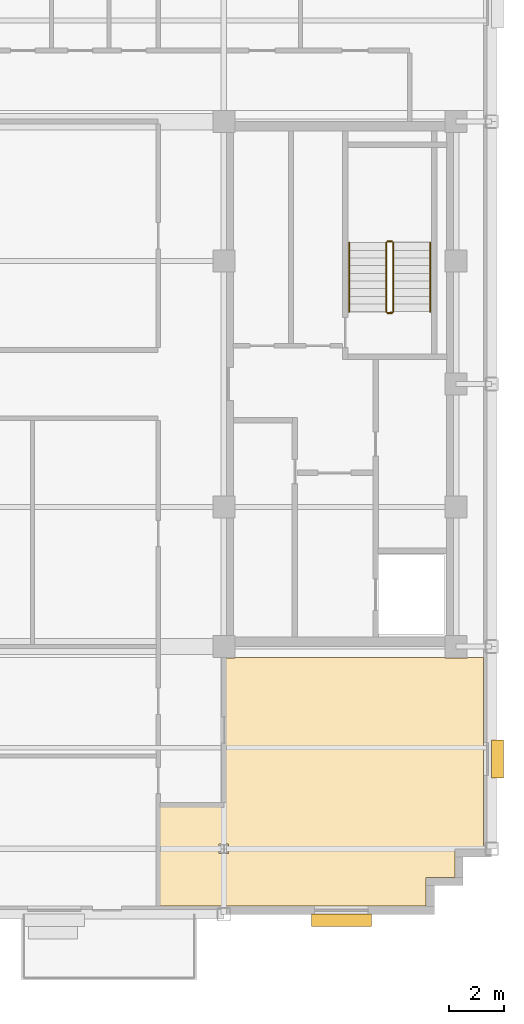
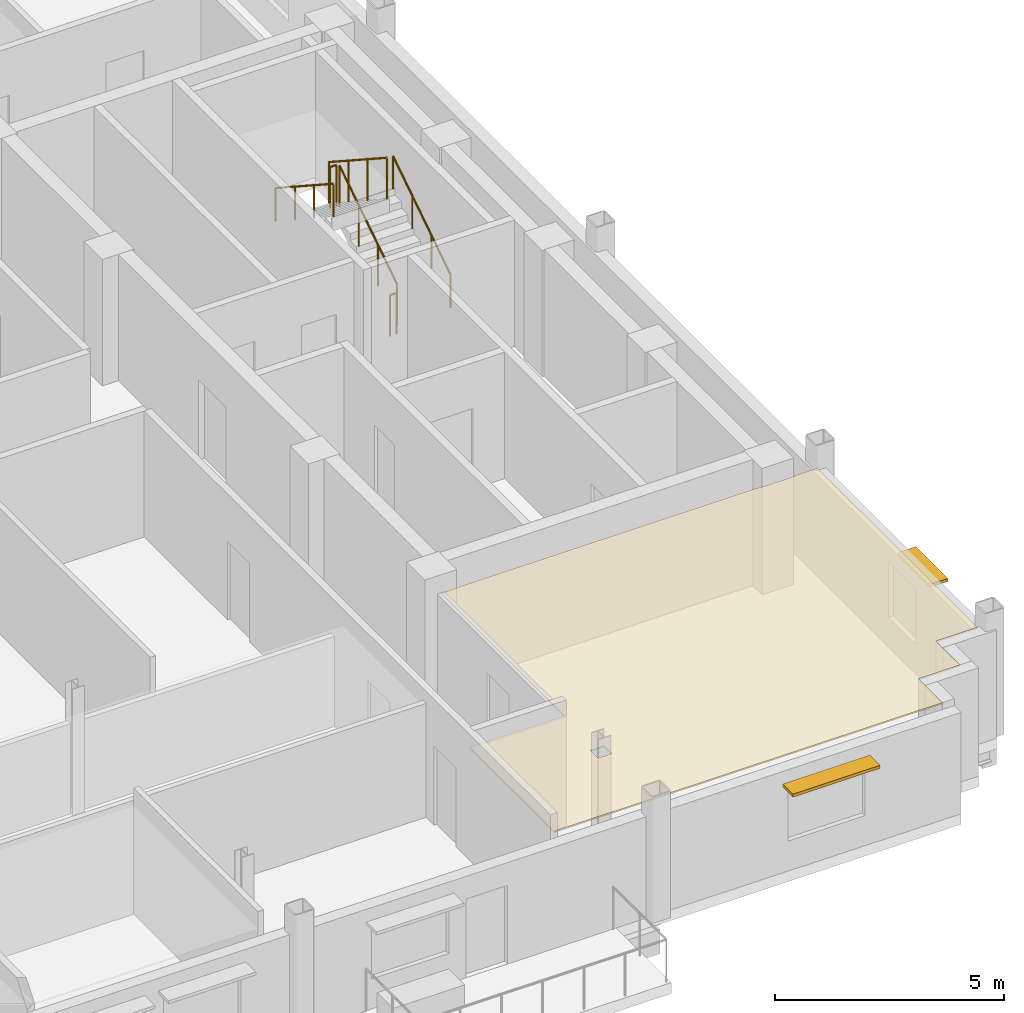
# One storey, part 12 of 13: 6 railings, 2 shading devices, 1 covering.
"""IFC4 building model written with IfcOpenShell, lengths in metres."""

from ifc_helpers import new_model, si_unit, direction, frame, origin, origin_2d, place, context, subcontext, project, spatial, polyline, rectangle, circle, outline, extrude, source, transform, mapped, material, layer, layer_set, type_object, type_shapes, element, save


model = new_model("IFC4")

# Units and contexts
model_context = context("Model", 3, precision=1e-05, world=origin(), true_north=direction((0.0, 1.0)))
body_context = subcontext(model_context, "Body", "Model", "MODEL_VIEW")
ifc_project = project(units=[si_unit("LENGTHUNIT", "METRE"), si_unit("AREAUNIT", "SQUARE_METRE"), si_unit("VOLUMEUNIT", "CUBIC_METRE"), si_unit("PLANEANGLEUNIT", "RADIAN"), si_unit("MASSUNIT", "GRAM", prefix="KILO")], contexts=[model_context])

# Site, building, storey
site_placement = place(None, origin())
site = spatial("IfcSite", under=ifc_project, at=site_placement, CompositionType="ELEMENT")
building_placement = place(site_placement, origin())
building = spatial("IfcBuilding", under=site, at=building_placement, Name="Nuvemarco Arch Tower", CompositionType="ELEMENT")
storey_placement = place(building_placement, frame((0.0, 0.0, 279.85009765625)))
storey = spatial("IfcBuildingStorey", under=building, at=storey_placement, Name="L74", CompositionType="ELEMENT", Elevation=279.85009765625)

# Covering
ifc_material_1 = material(Name="Mineral acoustic ceiling tile")
ifc_layer = layer(ifc_material_1, 0.0400390625, Name="COV-ACOUSTIC-CLG")
ifc_layer_set = layer_set([ifc_layer], Name="Mineral acoustic ceiling tile")
covering_type = type_object("IfcCoveringType", Name="COV-ACOUSTIC-CLG", PredefinedType="CEILING", material=ifc_layer_set)
covering_placement = place(storey_placement, frame((0.0, 0.0, 2.849853515625)))
element("IfcCovering", 1, at=covering_placement, inside=storey, type_object=covering_type, Name="L74 suspended acoustic ceiling 1", PredefinedType="CEILING", context=body_context, shape_type="SweptSolid", body=[
    extrude(outline(polyline([(16.39990234375, -19.10009765625), (6.60009765625, -19.10009765625), (6.60009765625, -15.39990234375), (9.0, -15.39990234375), (9.0, -10.014892578125), (9.4150390625, -10.014892578125), (9.4150390625, -10.0), (17.0849609375, -10.0), (17.0849609375, -10.014892578125), (17.9150390625, -10.014892578125), (17.9150390625, -10.0), (18.5, -10.0), (18.5, -17.0), (17.449951171875, -17.0), (17.449951171875, -18.050048828125), (16.39990234375, -18.050048828125), (16.39990234375, -19.10009765625)]), holes=[polyline([(9.169921875, -17.169921875), (9.169921875, -16.830078125), (8.830078125, -16.830078125), (8.830078125, -17.169921875), (9.169921875, -17.169921875)])]), origin(), (0.0, 0.0, 1.0), 0.0400390625),
])

# Railings
ifc_material_2 = material(Name="Brushed stainless steel handrail", Category="steel")
railing_type_1 = type_object("IfcRailingType", Name="RL-HANDRAIL-900", PredefinedType="HANDRAIL", material=ifc_material_2)
railing_1_placement = place(storey_placement, frame((16.550048828125, 2.64990234375, 0.182373046875)))
element("IfcRailing", 2, at=railing_1_placement, inside=storey, type_object=railing_type_1, Name="L74 ST-2 stair handrail 1", PredefinedType="HANDRAIL", context=body_context, shape_type="SweptSolid", body=[
    extrude(circle(Radius=0.02392578125, at=origin_2d()), frame((0.0, 0.0, 0.8759765625), z_axis=(0.0, 0.837749427056, 0.546054848405), x_axis=(-1.0, 0.0, 0.0)), (0.0, 0.0, 1.0), 3.008056640625),
    extrude(circle(Radius=0.02099609375, at=origin_2d()), origin(), (0.0, 0.0, 1.0), 0.851806640625),
    extrude(circle(Radius=0.02099609375, at=origin_2d()), frame((0.0, 0.840087890625, 0.547607421875)), (0.0, 0.0, 1.0), 0.851806640625),
    extrude(circle(Radius=0.02099609375, at=origin_2d()), frame((0.0, 1.679931640625, 1.094970703125)), (0.0, 0.0, 1.0), 0.851806640625),
    extrude(circle(Radius=0.02099609375, at=origin_2d()), frame((0.0, 2.52001953125, 1.642578125)), (0.0, 0.0, 1.0), 0.851806640625),
])
railing_2_placement = place(storey_placement, frame((13.590087890625, 5.169921875, 2.00732421875)))
element("IfcRailing", 3, at=railing_2_placement, inside=storey, type_object=railing_type_1, Name="L74 ST-2 stair handrail 2", PredefinedType="HANDRAIL", context=body_context, shape_type="SweptSolid", body=[
    extrude(circle(Radius=0.02392578125, at=origin_2d()), frame((0.0, 0.0, 0.8759765625), z_axis=(0.0, -0.837749427056, 0.546054848405), x_axis=(1.0, 0.0, 0.0)), (0.0, 0.0, 1.0), 3.008056640625),
    extrude(circle(Radius=0.02099609375, at=origin_2d()), origin(), (0.0, 0.0, 1.0), 0.851806640625),
    extrude(circle(Radius=0.02099609375, at=origin_2d()), frame((0.0, -0.840087890625, 0.547607421875)), (0.0, 0.0, 1.0), 0.851806640625),
    extrude(circle(Radius=0.02099609375, at=origin_2d()), frame((0.0, -1.679931640625, 1.094970703125)), (0.0, 0.0, 1.0), 0.851806640625),
    extrude(circle(Radius=0.02099609375, at=origin_2d()), frame((0.0, -2.52001953125, 1.642578125)), (0.0, 0.0, 1.0), 0.851806640625),
])
ifc_material_3 = material(Name="Painted balustrade steel S355", Category="steel")
railing_type_2 = type_object("IfcRailingType", Name="RL-STAIR-GUARD", PredefinedType="GUARDRAIL", material=ifc_material_3)
railing_3_placement = place(storey_placement, frame((15.199951171875, 2.64990234375, 0.182373046875)))
element("IfcRailing", 4, at=railing_3_placement, inside=storey, type_object=railing_type_2, Name="L74 ST-2 stair guard 1", PredefinedType="GUARDRAIL", context=body_context, shape_type="SweptSolid", body=[
    extrude(circle(Radius=0.02392578125, at=origin_2d()), frame((0.0, 0.0, 1.09619140625), z_axis=(0.0, 0.837749427056, 0.546054848405), x_axis=(-1.0, 0.0, 0.0)), (0.0, 0.0, 1.0), 3.008056640625),
    extrude(circle(Radius=0.02099609375, at=origin_2d()), origin(), (0.0, 0.0, 1.0), 1.072021484375),
    extrude(circle(Radius=0.02099609375, at=origin_2d()), frame((0.0, 0.840087890625, 0.547607421875)), (0.0, 0.0, 1.0), 1.072021484375),
    extrude(circle(Radius=0.02099609375, at=origin_2d()), frame((0.0, 1.679931640625, 1.094970703125)), (0.0, 0.0, 1.0), 1.072021484375),
    extrude(circle(Radius=0.02099609375, at=origin_2d()), frame((0.0, 2.52001953125, 1.642578125)), (0.0, 0.0, 1.0), 1.072021484375),
])
railing_4_placement = place(storey_placement, frame((15.14990234375, 5.219970703125, 1.824951171875)))
element("IfcRailing", 5, at=railing_4_placement, inside=storey, type_object=railing_type_2, Name="L74 ST-2 stair guard 2", PredefinedType="GUARDRAIL", context=body_context, shape_type="SweptSolid", body=[
    extrude(circle(Radius=0.02392578125, at=origin_2d()), frame((0.0, 0.0, 1.09619140625), z_axis=(-1.0, 0.0, 0.0), x_axis=(0.0, -1.0, 0.0)), (0.0, 0.0, 1.0), 0.159912109375),
    extrude(circle(Radius=0.02099609375, at=origin_2d()), origin(), (0.0, 0.0, 1.0), 1.072021484375),
    extrude(circle(Radius=0.02099609375, at=origin_2d()), frame((-0.159912109375, 0.0, 0.0)), (0.0, 0.0, 1.0), 1.072021484375),
])
railing_5_placement = place(storey_placement, frame((14.93994140625, 5.169921875, 2.00732421875)))
element("IfcRailing", 6, at=railing_5_placement, inside=storey, type_object=railing_type_2, Name="L74 ST-2 stair guard 3", PredefinedType="GUARDRAIL", context=body_context, shape_type="SweptSolid", body=[
    extrude(circle(Radius=0.02392578125, at=origin_2d()), frame((0.0, 0.0, 1.09619140625), z_axis=(0.0, -0.837749427056, 0.546054848405), x_axis=(1.0, 0.0, 0.0)), (0.0, 0.0, 1.0), 3.008056640625),
    extrude(circle(Radius=0.02099609375, at=origin_2d()), origin(), (0.0, 0.0, 1.0), 1.072021484375),
    extrude(circle(Radius=0.02099609375, at=origin_2d()), frame((0.0, -0.840087890625, 0.547607421875)), (0.0, 0.0, 1.0), 1.072021484375),
    extrude(circle(Radius=0.02099609375, at=origin_2d()), frame((0.0, -1.679931640625, 1.094970703125)), (0.0, 0.0, 1.0), 1.072021484375),
    extrude(circle(Radius=0.02099609375, at=origin_2d()), frame((0.0, -2.52001953125, 1.642578125)), (0.0, 0.0, 1.0), 1.072021484375),
])
railing_6_placement = place(storey_placement, frame((15.14990234375, 2.60009765625, 0.0)))
element("IfcRailing", 7, at=railing_6_placement, inside=storey, type_object=railing_type_2, Name="L74 ST-2 stair guard 4", PredefinedType="GUARDRAIL", context=body_context, shape_type="SweptSolid", body=[
    extrude(circle(Radius=0.02392578125, at=origin_2d()), frame((0.0, 0.0, 1.09619140625), z_axis=(-1.0, 0.0, 0.0), x_axis=(0.0, -1.0, 0.0)), (0.0, 0.0, 1.0), 0.159912109375),
    extrude(circle(Radius=0.02099609375, at=origin_2d()), origin(), (0.0, 0.0, 1.0), 1.072021484375),
    extrude(circle(Radius=0.02099609375, at=origin_2d()), frame((-0.159912109375, 0.0, 0.0)), (0.0, 0.0, 1.0), 1.072021484375),
])

# Shading devices
ifc_material_4 = material(Name="Anodised aluminium 6063-T6", Category="aluminium")
shading_device_type_1 = type_object("IfcShadingDeviceType", Name="SHD-BRISE-SOLEIL", PredefinedType="USERDEFINED", material=ifc_material_4)
shared_shape_1 = source(origin(), body_context, "Body", "SweptSolid", [
    extrude(rectangle(XDim=2.199951171875, YDim=0.449951171875, at=origin_2d()), origin(), (0.0, 0.0, 1.0), 0.080078125),
])
type_shapes(shading_device_type_1, [shared_shape_1])
shading_device_1_placement = place(storey_placement, frame((13.300048828125, -19.614990234375, 2.284912109375), z_axis=(0.0, 0.0, 1.0), x_axis=(1.0, 0.0, 0.0)))
element("IfcShadingDevice", 8, at=shading_device_1_placement, inside=storey, type_object=shading_device_type_1, Name="L74 horizontal brise-soleil sunshade", ObjectType="SUNSHADE", PredefinedType="USERDEFINED", context=body_context, shape_type="MappedRepresentation", body=[
    mapped(shared_shape_1, transform((0.0, 0.0, 0.0), scale=1.0)),
])
shading_device_type_2 = type_object("IfcShadingDeviceType", Name="SHD-BRISE-NARROW", PredefinedType="USERDEFINED", material=ifc_material_4)
shared_shape_2 = source(origin(), body_context, "Body", "SweptSolid", [
    extrude(rectangle(XDim=1.39990234375, YDim=0.449951171875, at=origin_2d()), origin(), (0.0, 0.0, 1.0), 0.080078125),
])
type_shapes(shading_device_type_2, [shared_shape_2])
shading_device_2_placement = place(storey_placement, frame((19.014892578125, -13.7177734375, 2.284912109375), z_axis=(0.0, 0.0, 1.0), x_axis=(0.0, 1.0, 0.0)))
element("IfcShadingDevice", 9, at=shading_device_2_placement, inside=storey, type_object=shading_device_type_2, Name="L74 horizontal brise-soleil sunshade", ObjectType="SUNSHADE", PredefinedType="USERDEFINED", context=body_context, shape_type="MappedRepresentation", body=[
    mapped(shared_shape_2, transform((0.0, 0.0, 0.0), scale=1.0)),
])

save(model, "model.ifc")
